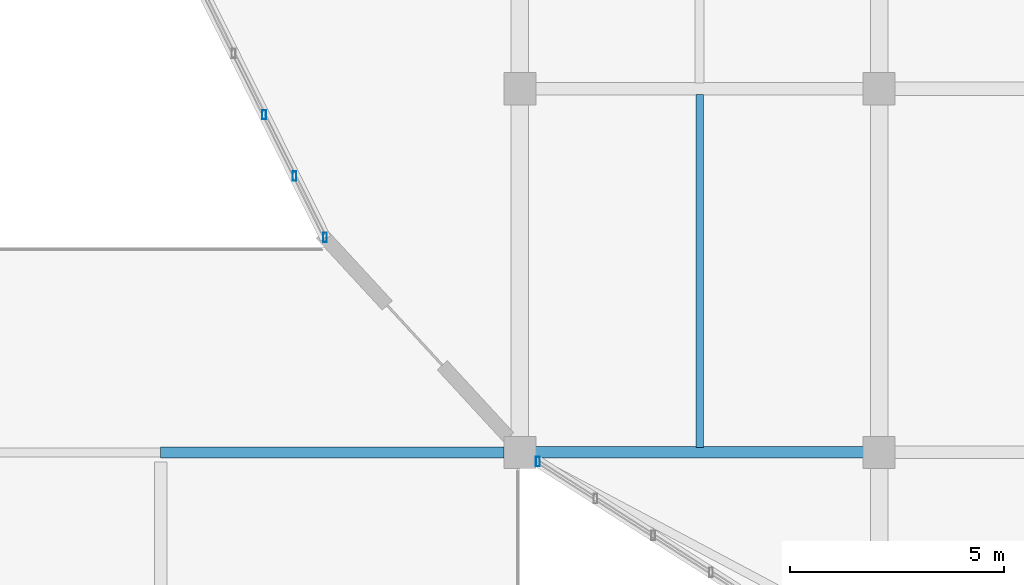
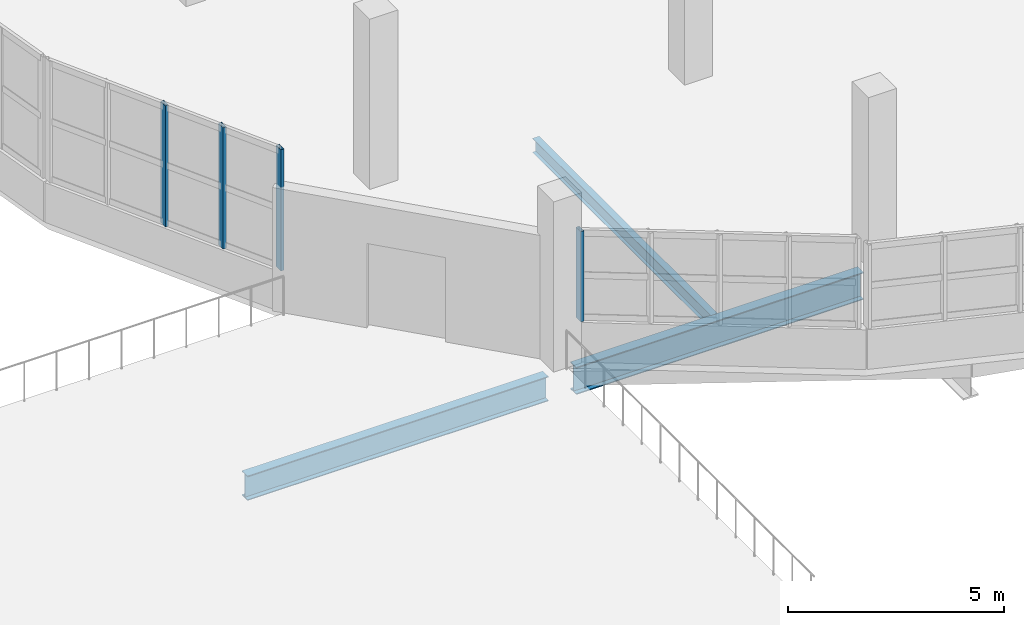
# One storey, part 8 of 77: 4 members, 3 beams, 2 elements without a shape of their own.
"""IFC4 building model written with IfcOpenShell, lengths in metres."""

from ifc_helpers import new_model, si_unit, direction, frame, origin, origin_2d, place, context, subcontext, project, spatial, hollow_rectangle, i_section, extrude, material, material_profile, profile_set, type_object, element, aggregate, save


model = new_model("IFC4")

# Units and contexts
model_context = context("Model", 3, precision=1e-05, world=origin(), true_north=direction((0.0, 1.0)))
body_context = subcontext(model_context, "Body", "Model", "MODEL_VIEW")
ifc_project = project(units=[si_unit("LENGTHUNIT", "METRE"), si_unit("AREAUNIT", "SQUARE_METRE"), si_unit("VOLUMEUNIT", "CUBIC_METRE"), si_unit("PLANEANGLEUNIT", "RADIAN"), si_unit("MASSUNIT", "GRAM", prefix="KILO")], contexts=[model_context])

# Site, building, storey
site_placement = place(None, origin())
site = spatial("IfcSite", under=ifc_project, at=site_placement, CompositionType="ELEMENT")
building_placement = place(site_placement, origin())
building = spatial("IfcBuilding", under=site, at=building_placement, Name="Solvento Point Concert Hall", CompositionType="ELEMENT")
storey_placement = place(building_placement, frame((0.0, 0.0, 10.199951171875)))
storey = spatial("IfcBuildingStorey", under=building, at=storey_placement, Name="L02", CompositionType="ELEMENT", Elevation=10.199951171875)

# Beams
ifc_material_1 = material(Name="Structural Steel ASTM A992 Grade 50", Category="steel")
ifc_material_profile_1 = material_profile(ifc_material_1, i_section(OverallWidth=0.256103515625, OverallDepth=0.693115234375, WebThickness=0.014404296875, FlangeThickness=0.023681640625, at=origin_2d()), Name="W27X114")
ifc_profile_set_1 = profile_set([ifc_material_profile_1], Name="Structural Steel ASTM A992 Grade 50")
beam_type_1 = type_object("IfcBeamType", Name="Girder_W27X114", PredefinedType="USERDEFINED", material=ifc_profile_set_1)
beam_1_placement = place(storey_placement, frame((32.39990234375, 17.0, -0.620361328125), z_axis=(1.0, 0.0, 0.0), x_axis=(0.0, 1.0, 0.0)))
element("IfcBeam", 1, at=beam_1_placement, inside=storey, type_object=beam_type_1, Name="Primary girder B-23 L02", ObjectType="GIRDER", PredefinedType="USERDEFINED", context=body_context, shape_type="SweptSolid", body=[
    extrude(i_section(OverallWidth=0.256103515625, OverallDepth=0.693115234375, WebThickness=0.014404296875, FlangeThickness=0.023681640625, at=origin_2d()), origin(), (0.0, 0.0, 1.0), 8.031005859375),
])
ifc_material_2 = material(Name="Structural Steel ASTM A992 Grade 50", Category="steel")
ifc_material_profile_2 = material_profile(ifc_material_2, i_section(OverallWidth=0.26806640625, OverallDepth=0.77001953125, WebThickness=0.015625, FlangeThickness=0.025390625, at=origin_2d()), Name="W30X132")
ifc_profile_set_2 = profile_set([ifc_material_profile_2], Name="Structural Steel ASTM A992 Grade 50")
beam_type_2 = type_object("IfcBeamType", Name="Girder_W30X132", PredefinedType="USERDEFINED", material=ifc_profile_set_2)
beam_2_placement = place(storey_placement, frame((41.1689453125, 17.0, -0.658935546875), z_axis=(1.0, 0.0, 0.0), x_axis=(0.0, 1.0, 0.0)))
element("IfcBeam", 2, at=beam_2_placement, inside=storey, type_object=beam_type_2, Name="Primary girder B-68 L02", ObjectType="GIRDER", PredefinedType="USERDEFINED", context=body_context, shape_type="SweptSolid", body=[
    extrude(i_section(OverallWidth=0.26806640625, OverallDepth=0.77001953125, WebThickness=0.015625, FlangeThickness=0.025390625, at=origin_2d()), origin(), (0.0, 0.0, 1.0), 7.662109375),
])
ifc_material_3 = material(Name="Structural Steel ASTM A992 Grade 50", Category="steel")
ifc_material_profile_3 = material_profile(ifc_material_3, i_section(OverallWidth=0.177490234375, OverallDepth=0.403076171875, WebThickness=0.007568359375, FlangeThickness=0.010986328125, at=origin_2d()), Name="W16X36")
ifc_profile_set_3 = profile_set([ifc_material_profile_3], Name="Structural Steel ASTM A992 Grade 50")
beam_type_3 = type_object("IfcBeamType", Name="Joist_W16X36", PredefinedType="JOIST", material=ifc_profile_set_3)
beam_3_placement = place(storey_placement, frame((45.0, 17.118896484375, -0.475341796875), z_axis=(0.0, 1.0, 0.0), x_axis=(-1.0, 0.0, 0.0)))
element("IfcBeam", 3, at=beam_3_placement, inside=storey, type_object=beam_type_3, Name="Secondary floor joist B-30 L02", PredefinedType="JOIST", context=body_context, shape_type="SweptSolid", body=[
    extrude(i_section(OverallWidth=0.177490234375, OverallDepth=0.403076171875, WebThickness=0.007568359375, FlangeThickness=0.010986328125, at=origin_2d()), origin(), (0.0, 0.0, 1.0), 8.25),
])

# Curtain wall, member
ifc_material_4 = material(Name="Anodized Bronze Aluminium", Category="aluminium")
curtain_wall_type = type_object("IfcCurtainWallType", Name="CurtainWall_RingRibbon_L01_02", PredefinedType="USERDEFINED", material=ifc_material_4)
curtain_wall_1_placement = place(storey_placement, origin())
curtain_wall_1 = element("IfcCurtainWall", 4, at=curtain_wall_1_placement, inside=storey, type_object=curtain_wall_type, Name="Unitised curtain wall CW-59 UCW-L02-167", ObjectType="UNITISED CURTAIN WALL", PredefinedType="USERDEFINED")
ifc_material_5 = material(Name="Anodized Bronze Aluminium", Category="aluminium")
ifc_material_profile_4 = material_profile(ifc_material_5, hollow_rectangle(XDim=0.090087890625, YDim=0.219970703125, WallThickness=0.00439453125, at=origin_2d()), Name="CW-MUL-90X220")
ifc_profile_set_4 = profile_set([ifc_material_profile_4], Name="Anodized Bronze Aluminium")
member_type = type_object("IfcMemberType", Name="Mullion_90x220", PredefinedType="MULLION", material=ifc_profile_set_4)
member_1_placement = place(storey_placement, frame((41.22021484375, 16.783203125, 1.1201171875), z_axis=(0.0, 0.0, 1.0), x_axis=(1.0, 0.0, 0.0)))
member_1 = element("IfcMember", 5, at=member_1_placement, type_object=member_type, Name="Curtain wall mullion ML-02", PredefinedType="MULLION", context=body_context, shape_type="SweptSolid", body=[
    extrude(hollow_rectangle(XDim=0.090087890625, YDim=0.219970703125, WallThickness=0.00439453125, at=origin_2d()), origin(), (0.0, 0.0, 1.0), 2.544921875),
])
aggregate(curtain_wall_1, [member_1])

# Curtain wall, members
curtain_wall_2_placement = place(storey_placement, origin())
curtain_wall_2 = element("IfcCurtainWall", 6, at=curtain_wall_2_placement, inside=storey, type_object=curtain_wall_type, Name="Unitised curtain wall CW-59 UCW-L02-168", ObjectType="UNITISED CURTAIN WALL", PredefinedType="USERDEFINED")
member_2_placement = place(storey_placement, frame((36.2451171875, 22.02685546875, 1.1201171875), z_axis=(0.0, 0.0, 1.0), x_axis=(1.0, 0.0, 0.0)))
member_2 = element("IfcMember", 7, at=member_2_placement, type_object=member_type, Name="Curtain wall mullion ML-02", PredefinedType="MULLION", context=body_context, shape_type="SweptSolid", body=[
    extrude(hollow_rectangle(XDim=0.090087890625, YDim=0.219970703125, WallThickness=0.00439453125, at=origin_2d()), origin(), (0.0, 0.0, 1.0), 3.419921875),
])
member_3_placement = place(storey_placement, frame((35.532470703125, 23.46044921875, 1.1201171875), z_axis=(0.0, 0.0, 1.0), x_axis=(1.0, 0.0, 0.0)))
member_3 = element("IfcMember", 8, at=member_3_placement, type_object=member_type, Name="Curtain wall mullion ML-02", PredefinedType="MULLION", context=body_context, shape_type="SweptSolid", body=[
    extrude(hollow_rectangle(XDim=0.090087890625, YDim=0.219970703125, WallThickness=0.00439453125, at=origin_2d()), origin(), (0.0, 0.0, 1.0), 3.419921875),
])
member_4_placement = place(storey_placement, frame((34.81982421875, 24.89404296875, 1.1201171875), z_axis=(0.0, 0.0, 1.0), x_axis=(1.0, 0.0, 0.0)))
member_4 = element("IfcMember", 9, at=member_4_placement, type_object=member_type, Name="Curtain wall mullion ML-02", PredefinedType="MULLION", context=body_context, shape_type="SweptSolid", body=[
    extrude(hollow_rectangle(XDim=0.090087890625, YDim=0.219970703125, WallThickness=0.00439453125, at=origin_2d()), origin(), (0.0, 0.0, 1.0), 3.419921875),
])
aggregate(curtain_wall_2, [member_2, member_3, member_4])

save(model, "model.ifc")
